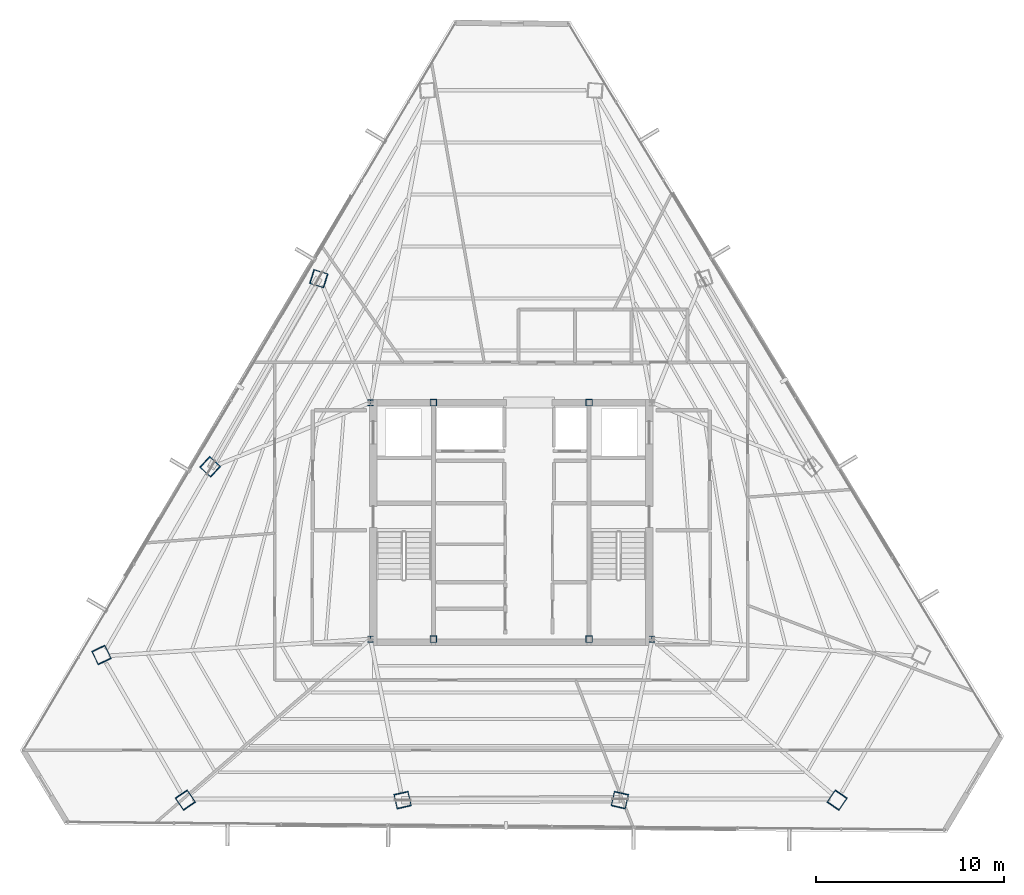
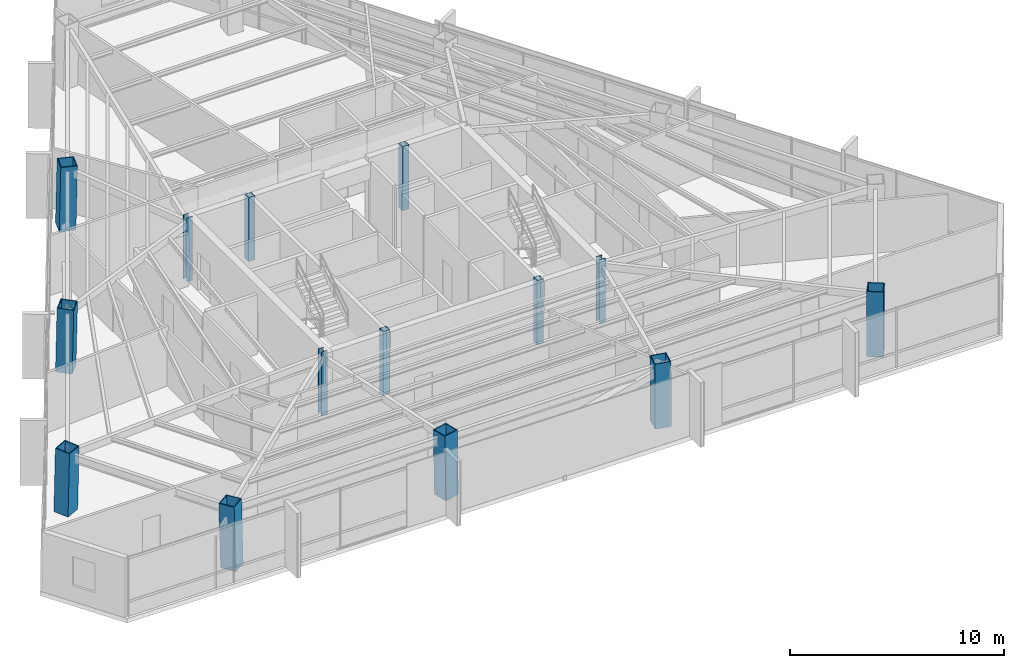
# One storey, part 1 of 47: 14 columns.
"""IFC4 building model written with IfcOpenShell, lengths in metres."""

from ifc_helpers import new_model, si_unit, direction, frame, origin, origin_2d, place, context, subcontext, project, spatial, hollow_rectangle, i_section, extrude, source, transform, mapped, material, material_profile, profile_set, type_object, type_shapes, element, save


model = new_model("IFC4")

# Units and contexts
model_context = context("Model", 3, precision=1e-05, world=origin(), true_north=direction((0.0, 1.0)))
body_context = subcontext(model_context, "Body", "Model", "MODEL_VIEW")
ifc_project = project(units=[si_unit("LENGTHUNIT", "METRE"), si_unit("AREAUNIT", "SQUARE_METRE"), si_unit("VOLUMEUNIT", "CUBIC_METRE"), si_unit("PLANEANGLEUNIT", "RADIAN"), si_unit("MASSUNIT", "GRAM", prefix="KILO")], contexts=[model_context])

# Site, building, storey
site_placement = place(None, origin())
site = spatial("IfcSite", under=ifc_project, at=site_placement, CompositionType="ELEMENT")
building_placement = place(site_placement, origin())
building = spatial("IfcBuilding", under=site, at=building_placement, Name="Caelisora Broadcast Tower", CompositionType="ELEMENT")
storey_placement = place(building_placement, frame((0.0, 0.0, 229.85009765625)))
storey = spatial("IfcBuildingStorey", under=building, at=storey_placement, Name="L60", CompositionType="ELEMENT", Elevation=229.85009765625)

# Columns
ifc_material_1 = material(Name="Steel Grade 350 (AS/NZS 1163 C350L0)", Category="steel")
ifc_material_profile_1 = material_profile(ifc_material_1, hollow_rectangle(XDim=0.35009765625, YDim=0.35009765625, WallThickness=0.01611328125, at=origin_2d()), Name="Steel Grade 350 (AS/NZS 1163 C350L0)")
ifc_profile_set_1 = profile_set([ifc_material_profile_1], Name="Steel Grade 350 (AS/NZS 1163 C350L0)")
column_type_1 = type_object("IfcColumnType", Name="CC07", PredefinedType="COLUMN", material=ifc_profile_set_1)
shared_shape_1 = source(origin(), body_context, "Body", "SweptSolid", [
    extrude(hollow_rectangle(XDim=0.35009765625, YDim=0.35009765625, WallThickness=0.01611328125, at=origin_2d()), origin(), (0.0, 0.0, 1.0), 3.64990234375),
])
type_shapes(column_type_1, [shared_shape_1])
for number, where, z_axis, x_axis, name in (
    (1, (33.85009765625, 17.39990234375, 0.0), (0.0, 0.0, 1.0), (1.0, 0.0, 0.0), "L60 column CC07"),
    (2, (42.14990234375, 17.39990234375, 0.0), (0.0, 0.0, 1.0), (1.0, 0.0, 0.0), "L60 column CC07"),
    (3, (33.85009765625, 30.0, 0.0), (0.0, 0.0, 1.0), (1.0, 0.0, 0.0), "L60 column CC07"),
    (4, (42.14990234375, 30.0, 0.0), (0.0, 0.0, 1.0), (1.0, 0.0, 0.0), "L60 column CC07"),
):
    element("IfcColumn", number, at=place(storey_placement, frame(where, z_axis=z_axis, x_axis=x_axis)), inside=storey, type_object=column_type_1, Name=name, PredefinedType="COLUMN", context=body_context, shape_type="MappedRepresentation", body=[
        mapped(shared_shape_1, transform((0.0, 0.0, 0.0), scale=1.0)),
    ])
ifc_material_2 = material(Name="Steel Grade 350 L15 (AS/NZS 3678)", Category="steel")
ifc_material_profile_2 = material_profile(ifc_material_2, hollow_rectangle(XDim=0.800048828125, YDim=0.800048828125, WallThickness=0.044921875, at=origin_2d()), Name="Steel Grade 350 L15 (AS/NZS 3678)")
ifc_profile_set_2 = profile_set([ifc_material_profile_2], Name="Steel Grade 350 L15 (AS/NZS 3678)")
column_type_2 = type_object("IfcColumnType", Name="MC05", PredefinedType="COLUMN", material=ifc_profile_set_2)
shared_shape_2 = source(origin(), body_context, "Body", "SweptSolid", [
    extrude(hollow_rectangle(XDim=0.800048828125, YDim=0.800048828125, WallThickness=0.044921875, at=origin_2d()), origin(), (0.0, 0.0, 1.0), 3.65087890625),
])
for number, where, z_axis, x_axis, name in (
    (5, (16.16357421875, 16.56591796875, 0.0), (0.010364932146, -0.021532310652, 0.999714423113), (0.901042175273, 0.433731481886, 0.0), "L60 column MC05"),
    (6, (20.643798828125, 8.805908203125, 0.0), (-0.013507807672, 0.019860489499, 0.999711508431), (-0.826874715708, -0.56238617028, 0.0), "L60 column MC05"),
    (7, (55.356201171875, 8.805908203125, 0.0), (0.013507807672, 0.019860489499, 0.999711508431), (-0.826874715708, 0.56238617028, 0.0), "L60 column MC05"),
):
    element("IfcColumn", number, at=place(storey_placement, frame(where, z_axis=z_axis, x_axis=x_axis)), inside=storey, type_object=column_type_2, Name=name, PredefinedType="COLUMN", context=body_context, shape_type="MappedRepresentation", body=[
        mapped(shared_shape_2, transform((0.0, 0.0, 0.0), scale=1.0)),
    ])
shared_shape_3 = source(origin(), body_context, "Body", "SweptSolid", [
    extrude(hollow_rectangle(XDim=0.800048828125, YDim=0.800048828125, WallThickness=0.044921875, at=origin_2d()), origin(), (0.0, 0.0, 1.0), 3.650634765625),
])
type_shapes(column_type_2, [shared_shape_2, shared_shape_3])
for number, where, z_axis, x_axis, name in (
    (8, (27.734375, 36.607421875, 0.0), (0.019393985636, -0.006085698941, 0.999793397452), (0.299398805134, 0.954128060317, 0.0), "L60 column MC05"),
    (9, (21.948974609375, 26.586669921875, 0.0), (0.014913313399, -0.013776424037, 0.999793880369), (0.678553674548, 0.734550822447, 0.0), "L60 column MC05"),
    (10, (32.214599609375, 8.805908203125, 0.0), (-0.004480676264, 0.019862102244, 0.999792688728), (-0.975486508487, -0.220059246022, 0.0), "L60 column MC05"),
    (11, (43.785400390625, 8.805908203125, 0.0), (0.004480676264, 0.019862102244, 0.999792688728), (-0.975486508487, 0.220059246022, 0.0), "L60 column MC05"),
):
    element("IfcColumn", number, at=place(storey_placement, frame(where, z_axis=z_axis, x_axis=x_axis)), inside=storey, type_object=column_type_2, Name=name, PredefinedType="COLUMN", context=body_context, shape_type="MappedRepresentation", body=[
        mapped(shared_shape_3, transform((0.0, 0.0, 0.0), scale=1.0)),
    ])
ifc_material_3 = material(Name="Steel Grade 350 (AS/NZS 3679.1)", Category="steel")
ifc_material_profile_3 = material_profile(ifc_material_3, i_section(OverallWidth=0.31103515625, OverallDepth=0.3271484375, WebThickness=0.015625, FlangeThickness=0.02490234375, at=origin_2d()), Name="Steel Grade 350 (AS/NZS 3679.1)")
ifc_profile_set_3 = profile_set([ifc_material_profile_3], Name="Steel Grade 350 (AS/NZS 3679.1)")
column_type_3 = type_object("IfcColumnType", Name="CC03", PredefinedType="COLUMN", material=ifc_profile_set_3)
shared_shape_4 = source(origin(), body_context, "Body", "SweptSolid", [
    extrude(i_section(OverallWidth=0.31103515625, OverallDepth=0.3271484375, WebThickness=0.015625, FlangeThickness=0.02490234375, at=origin_2d()), origin(), (0.0, 0.0, 1.0), 3.64990234375),
])
type_shapes(column_type_3, [shared_shape_4])
for number, where, z_axis, x_axis, name in (
    (12, (30.5, 17.39990234375, 0.0), (0.0, 0.0, 1.0), (1.0, 0.0, 0.0), "L60 column CC03"),
    (13, (45.5, 17.39990234375, 0.0), (0.0, 0.0, 1.0), (1.0, 0.0, 0.0), "L60 column CC03"),
    (14, (30.5, 30.0, 0.0), (0.0, 0.0, 1.0), (1.0, 0.0, 0.0), "L60 column CC03"),
):
    element("IfcColumn", number, at=place(storey_placement, frame(where, z_axis=z_axis, x_axis=x_axis)), inside=storey, type_object=column_type_3, Name=name, PredefinedType="COLUMN", context=body_context, shape_type="MappedRepresentation", body=[
        mapped(shared_shape_4, transform((0.0, 0.0, 0.0), scale=1.0)),
    ])

save(model, "model.ifc")
